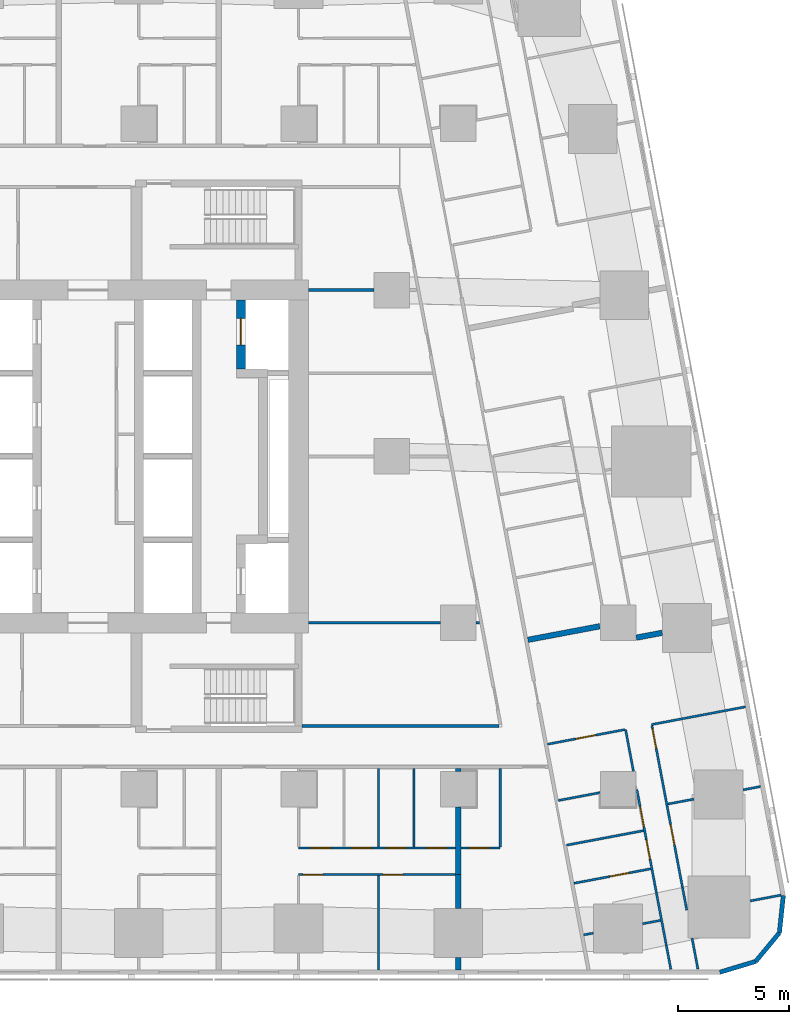
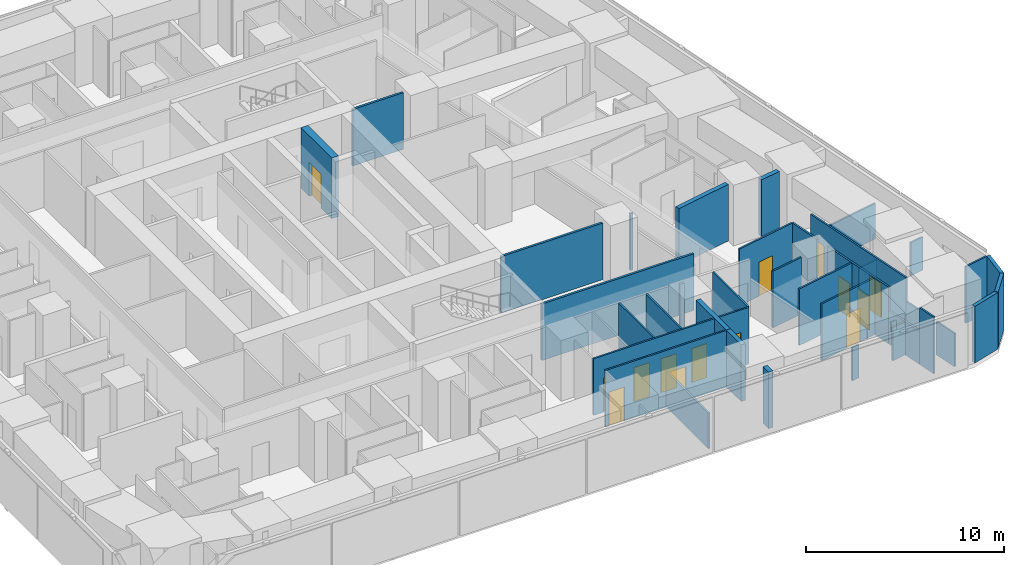
# One storey, part 7 of 16: 38 walls, 14 doors, 14 openings.
"""IFC4 building model written with IfcOpenShell, lengths in metres."""

import ifcopenshell
import ifcopenshell.guid

model = None  # the IFC model being written
_history = None  # IfcOwnerHistory: only IFC2X3 demands one
_inside = {}  # id of a spatial element -> (the spatial element, [elements in it])
_under = {}  # id of a project, library or spatial element -> (it, [spatial elements below it])
_declared = {}  # id of a project -> (the project, [libraries it declares])
_typed = {}  # id of a type object -> (the type object, [elements of that type])
_made_of = {}  # id of a material, layer set ... -> (it, [elements and type objects made of it])


def new_model(schema):
    """Start an empty IFC model of exactly this schema.

    Asked for "IFC4X3", IfcOpenShell would pick the latest addendum, in which some entities
    have other attributes; the version numbers below select the first issue.
    IFC2X3 requires an IfcOwnerHistory on every rooted entity: one is made here for all.
    """
    global model, _history
    if schema == "IFC4X3":
        model = ifcopenshell.file(schema_version=(4, 3, 0, 0))
    else:
        model = ifcopenshell.file(schema=schema)
    _inside.clear()
    _under.clear()
    _declared.clear()
    _typed.clear()
    _made_of.clear()
    _history = None
    if model.schema == "IFC2X3":
        org = make("IfcOrganization", Name="unknown")
        user = make(
            "IfcPersonAndOrganization",
            ThePerson=make("IfcPerson", FamilyName="unknown"),
            TheOrganization=org,
        )
        app = make(
            "IfcApplication",
            ApplicationDeveloper=org,
            Version="unknown",
            ApplicationFullName="unknown",
            ApplicationIdentifier="unknown",
        )
        _history = make(
            "IfcOwnerHistory",
            OwningUser=user,
            OwningApplication=app,
            ChangeAction="ADDED",
            CreationDate=0,
        )
    return model


def make(cls, **values):
    """One entity of the class cls with the attributes given. An attribute that is None is left unset."""
    return model.create_entity(
        cls, **{name: value for name, value in values.items() if value is not None}
    )


def rooted(cls, **values):
    """An entity with a GlobalId (a new one), such as an element, a storey or a relation."""
    return make(cls, GlobalId=ifcopenshell.guid.new(), OwnerHistory=_history, **values)


def si_unit(unit_type, name, prefix=None):
    """IfcSIUnit, for example si_unit("LENGTHUNIT", "METRE", prefix="MILLI")."""
    return make("IfcSIUnit", UnitType=unit_type, Prefix=prefix, Name=name)


def assignment(units):
    """IfcUnitAssignment: the units of a project."""
    return None if units is None else make("IfcUnitAssignment", Units=units)


def point(xyz):
    """IfcCartesianPoint."""
    return None if xyz is None else make("IfcCartesianPoint", Coordinates=xyz)


def direction(xyz):
    """IfcDirection."""
    return None if xyz is None else make("IfcDirection", DirectionRatios=xyz)


def frame(location, z_axis=None, x_axis=None):
    """IfcAxis2Placement3D, a coordinate frame: its origin and axes. An axis left out is left unset."""
    return make(
        "IfcAxis2Placement3D",
        Location=point(location),
        Axis=direction(z_axis),
        RefDirection=direction(x_axis),
    )


def frame_2d(location, x_axis=None):
    """IfcAxis2Placement2D, a coordinate frame in the plane: its origin and x axis."""
    return make(
        "IfcAxis2Placement2D", Location=point(location), RefDirection=direction(x_axis)
    )


def origin():
    """The frame at (0, 0, 0) with its axes left unset."""
    return frame((0.0, 0.0, 0.0))


def place(relative_to, where):
    """IfcLocalPlacement: puts the frame where relative to a parent placement (None: the world)."""
    return make(
        "IfcLocalPlacement", PlacementRelTo=relative_to, RelativePlacement=where
    )


def context(
    kind, dimensions, precision=None, world=None, true_north=None, identifier=None
):
    """IfcGeometricRepresentationContext, for example the 3D "Model" context."""
    return make(
        "IfcGeometricRepresentationContext",
        ContextIdentifier=identifier,
        ContextType=kind,
        CoordinateSpaceDimension=dimensions,
        Precision=precision,
        WorldCoordinateSystem=world,
        TrueNorth=true_north,
    )


def subcontext(parent, identifier, kind, view, scale=None):
    """IfcGeometricRepresentationSubContext, for example "Body" below "Model"."""
    return make(
        "IfcGeometricRepresentationSubContext",
        ContextIdentifier=identifier,
        ContextType=kind,
        ParentContext=parent,
        TargetScale=scale,
        TargetView=view,
    )


def project(units=None, contexts=None):
    """IfcProject with its units and contexts."""
    return rooted(
        "IfcProject",
        Name="project",
        RepresentationContexts=contexts,
        UnitsInContext=assignment(units),
    )


def spatial(cls, under=None, at=None, **own):
    """A site, building, storey or space (cls), placed at a placement, below another one or the project."""
    s = rooted(cls, ObjectPlacement=at, **own)
    if under is not None:
        _under.setdefault(under.id(), (under, []))[1].append(s)
    return s


def profile(cls, at=None, kind="AREA", **sizes):
    """A parametric profile (cls). Its sizes go by their IFC names, for example OverallWidth=200.0."""
    return make(cls, ProfileType=kind, Position=at, **sizes)


def rectangle(**sizes):
    """IfcRectangleProfileDef."""
    return profile("IfcRectangleProfileDef", **sizes)


def extrude(swept, where, along, depth):
    """IfcExtrudedAreaSolid: the profile swept, set in the frame where, extruded along a direction by depth."""
    return make(
        "IfcExtrudedAreaSolid",
        SweptArea=swept,
        Position=where,
        ExtrudedDirection=direction(along),
        Depth=depth,
    )


def shape(context_of_items, identifier, shape_type, items):
    """IfcShapeRepresentation: the items that make up one representation, for example the "Body"."""
    return make(
        "IfcShapeRepresentation",
        ContextOfItems=context_of_items,
        RepresentationIdentifier=identifier,
        RepresentationType=shape_type,
        Items=items,
    )


def material(Name=None, Category=None):
    """IfcMaterial."""
    return make("IfcMaterial", Name=Name, Category=Category)


def layer(
    of_material, thickness, ventilated=None, Name=None, Category=None, Priority=None
):
    """IfcMaterialLayer: one layer of a wall or slab, of a material (None: an air gap)."""
    return make(
        "IfcMaterialLayer",
        Material=of_material,
        LayerThickness=thickness,
        IsVentilated=ventilated,
        Name=Name,
        Category=Category,
        Priority=Priority,
    )


def layer_set(layers, Name=None):
    """IfcMaterialLayerSet."""
    return make("IfcMaterialLayerSet", MaterialLayers=layers, LayerSetName=Name)


def made_of(thing, what):
    """Note that an element or type object is made of a material, layer set ...; save() writes the relation."""
    if what is not None:
        _made_of.setdefault(what.id(), (what, []))[1].append(thing)
    return thing


def type_object(cls, material=None, **own):
    """A type object (cls), such as IfcWallType, which elements share."""
    return made_of(rooted(cls, **own), material)


def element(
    cls,
    number,
    at=None,
    inside=None,
    cuts=None,
    type_object=None,
    material=None,
    context=None,
    identifier="Body",
    shape_type=None,
    held_by="IfcProductDefinitionShape",
    body=None,
    shapes=None,
    **own,
):
    """One element of the class cls, such as IfcWall. Its Tag is "e" and its number.

    at: its placement. inside: the storey or other place that contains it. cuts: it is an
    opening in that element (IfcRelVoidsElement). A single representation is given by context,
    identifier, shape_type and body (its items); several are given by shapes. held_by: the class
    of the entity that holds the representations. save() writes the other relations.
    """
    e = rooted(cls, Tag="e%d" % number, ObjectPlacement=at, **own)
    if body is not None:
        shapes = [shape(context, identifier, shape_type, body)]
    if shapes is not None:
        e.Representation = make(held_by, Representations=shapes)
    if inside is not None:
        _inside.setdefault(inside.id(), (inside, []))[1].append(e)
    if cuts is not None:
        rooted(
            "IfcRelVoidsElement", RelatingBuildingElement=cuts, RelatedOpeningElement=e
        )
    if type_object is not None:
        _typed.setdefault(type_object.id(), (type_object, []))[1].append(e)
    return made_of(e, material)


def fill(opening, filler):
    """IfcRelFillsElement: the door or window that sits in an opening."""
    return rooted(
        "IfcRelFillsElement",
        RelatingOpeningElement=opening,
        RelatedBuildingElement=filler,
    )


def aggregate(whole, parts):
    """IfcRelAggregates: a whole, such as a stair, and the parts it consists of."""
    return rooted("IfcRelAggregates", RelatingObject=whole, RelatedObjects=parts)


def save(model, path):
    """Write the relations noted so far, then the file.

    IfcRelAggregates (storeys below a building ...), IfcRelContainedInSpatialStructure (elements
    in a storey), IfcRelDefinesByType, IfcRelAssociatesMaterial and IfcRelDeclares: one each for
    every whole, place, type object, material and project.
    """
    for whole, parts in _under.values():
        aggregate(whole, parts)
    for where, things in _inside.values():
        rooted(
            "IfcRelContainedInSpatialStructure",
            RelatedElements=things,
            RelatingStructure=where,
        )
    for kind, things in _typed.values():
        rooted("IfcRelDefinesByType", RelatedObjects=things, RelatingType=kind)
    for what, things in _made_of.values():
        rooted("IfcRelAssociatesMaterial", RelatedObjects=things, RelatingMaterial=what)
    for by, libraries in _declared.values():
        rooted("IfcRelDeclares", RelatingContext=by, RelatedDefinitions=libraries)
    model.write(path)


model = new_model("IFC4")

# Units and contexts
model_context = context("Model", 3, precision=1e-05, world=origin(), true_north=direction((0.0, 1.0)))
body_context = subcontext(model_context, "Body", "Model", "MODEL_VIEW")
ifc_project = project(units=[si_unit("LENGTHUNIT", "METRE"), si_unit("AREAUNIT", "SQUARE_METRE"), si_unit("VOLUMEUNIT", "CUBIC_METRE"), si_unit("PLANEANGLEUNIT", "RADIAN"), si_unit("MASSUNIT", "GRAM", prefix="KILO")], contexts=[model_context])

# Site, building, storey
site_placement = place(None, origin())
site = spatial("IfcSite", under=ifc_project, at=site_placement, CompositionType="ELEMENT")
building_placement = place(site_placement, origin())
building = spatial("IfcBuilding", under=site, at=building_placement, Name="Sheger Commons Tower", CompositionType="ELEMENT")
storey_placement = place(building_placement, frame((0.0, 0.0, 89.14990234375)))
storey = spatial("IfcBuildingStorey", under=building, at=storey_placement, Name="L22", CompositionType="ELEMENT", Elevation=89.14990234375)

# Wall, opening, door
ifc_material_1 = material(Name="Concrete C50/60", Category="concrete")
ifc_layer_1 = layer(ifc_material_1, 0.39990234375)
ifc_layer_set_1 = layer_set([ifc_layer_1], Name="CORE INNER WALL 400")
wall_type_1 = type_object("IfcWallType", Name="CORE INNER WALL 400", PredefinedType="SHEAR", material=ifc_layer_set_1)
wall_1_placement = place(storey_placement, frame((26.199951171875, 26.449951171875, 0.0), z_axis=(0.0, 0.0, 1.0), x_axis=(0.0, 1.0, 0.0)))
wall_1 = element("IfcWall", 1, at=wall_1_placement, inside=storey, type_object=wall_type_1, Name="Core inner wall F north L22", PredefinedType="SHEAR", context=body_context, shape_type="SweptSolid", body=[
    extrude(rectangle(XDim=3.10009765625, YDim=0.39990234375, at=frame_2d((1.550048828125, 0.0))), origin(), (0.0, 0.0, 1.0), 3.75),
])
opening_1_placement = place(wall_1_placement, frame((1.074951171875, 0.0, 0.0)))
opening_1 = element("IfcOpeningElement", 2, at=opening_1_placement, cuts=wall_1, Name="Opening LD2", PredefinedType="OPENING", context=body_context, shape_type="SweptSolid", body=[
    extrude(rectangle(XDim=1.199951171875, YDim=2.10009765625, at=frame_2d((0.60009765625, 1.050048828125))), frame((0.0, 0.2099609375, 0.0), z_axis=(0.0, -1.0, 0.0), x_axis=(1.0, 0.0, 0.0)), (0.0, 0.0, 1.0), 0.419921875),
])
ifc_material_2 = material(Name="Steel door set, fire rated", Category="steel")
door_type_1 = type_object("IfcDoorType", Name="FIREFIGHTING LIFT LANDING DOOR 1200x2100", OperationType="DOUBLE_DOOR_SLIDING", PredefinedType="DOOR", material=ifc_material_2)
door_1_placement = place(opening_1_placement, origin())
door_1 = element("IfcDoor", 3, at=door_1_placement, inside=storey, type_object=door_type_1, Name="Lift FL2 landing door", OperationType="DOUBLE_DOOR_SLIDING", OverallHeight=2.10009765625, OverallWidth=1.199951171875, PredefinedType="DOOR", context=body_context, shape_type="SweptSolid", body=[
    extrude(rectangle(XDim=1.199951171875, YDim=2.10009765625, at=frame_2d((0.60009765625, 1.050048828125))), frame((0.0, 0.02490234375, 0.0), z_axis=(0.0, -1.0, 0.0), x_axis=(1.0, 0.0, 0.0)), (0.0, 0.0, 1.0), 0.050048828125),
])
fill(opening_1, door_1)

# Walls
ifc_material_3 = material(Name="Dense concrete block masonry, plastered both sides (separating wall between flats)", Category="masonry")
ifc_layer_2 = layer(ifc_material_3, 0.25)
ifc_layer_set_2 = layer_set([ifc_layer_2], Name="DEMISING WALL 250")
wall_type_2 = type_object("IfcWallType", Name="DEMISING WALL 250", PredefinedType="SOLIDWALL", material=ifc_layer_set_2)
wall_2_placement = place(storey_placement, frame((36.0, -0.64990234375, 0.0), z_axis=(0.0, 0.0, 1.0), x_axis=(0.0, 1.0, 0.0)))
element("IfcWall", 4, at=wall_2_placement, inside=storey, type_object=wall_type_2, Name="Demising wall L22", PredefinedType="SOLIDWALL", context=body_context, shape_type="SweptSolid", body=[
    extrude(rectangle(XDim=0.573974609375, YDim=0.25, at=frame_2d((0.287109375, 0.0))), origin(), (0.0, 0.0, 1.0), 3.5),
])
wall_3_placement = place(storey_placement, frame((36.0, 2.1259765625, 0.0), z_axis=(0.0, 0.0, 1.0), x_axis=(0.0, 1.0, 0.0)))
element("IfcWall", 5, at=wall_3_placement, inside=storey, type_object=wall_type_2, Name="Demising wall L22", PredefinedType="SOLIDWALL", context=body_context, shape_type="SweptSolid", body=[
    extrude(rectangle(XDim=1.52392578125, YDim=0.25, at=frame_2d((0.761962890625, 0.0))), origin(), (0.0, 0.0, 1.0), 3.5),
])
wall_4_placement = place(storey_placement, frame((36.0, 3.64990234375, 0.0), z_axis=(0.0, 0.0, 1.0), x_axis=(0.0, 1.0, 0.0)))
element("IfcWall", 6, at=wall_4_placement, inside=storey, type_object=wall_type_2, Name="Demising wall L22", PredefinedType="SOLIDWALL", context=body_context, shape_type="SweptSolid", body=[
    extrude(rectangle(XDim=3.049072265625, YDim=0.25, at=frame_2d((1.5244140625, 0.0))), origin(), (0.0, 0.0, 1.0), 3.5),
])
wall_5_placement = place(storey_placement, frame((36.0, 8.301025390625, 0.0), z_axis=(0.0, 0.0, 1.0), x_axis=(0.0, 1.0, 0.0)))
element("IfcWall", 7, at=wall_5_placement, inside=storey, type_object=wall_type_2, Name="Demising wall L22", PredefinedType="SOLIDWALL", context=body_context, shape_type="SweptSolid", body=[
    extrude(rectangle(XDim=0.1240234375, YDim=0.25, at=frame_2d((0.06201171875, 0.0))), origin(), (0.0, 0.0, 1.0), 3.5),
])
wall_6_placement = place(storey_placement, frame((45.18994140625, 14.550048828125, 0.0), z_axis=(0.0, 0.0, 1.0), x_axis=(-0.982666604435, -0.185381618634, 0.0)))
element("IfcWall", 8, at=wall_6_placement, inside=storey, type_object=wall_type_2, Name="Demising wall L22", PredefinedType="SOLIDWALL", context=body_context, shape_type="SweptSolid", body=[
    extrude(rectangle(XDim=1.1865234375, YDim=0.25, at=frame_2d((0.59326171875, 0.0))), origin(), (0.0, 0.0, 1.0), 3.5),
])
wall_7_placement = place(storey_placement, frame((42.3759765625, 14.843994140625, 0.0), z_axis=(0.0, 0.0, 1.0), x_axis=(-0.982610440948, -0.18567908159, 0.0)))
element("IfcWall", 9, at=wall_7_placement, inside=storey, type_object=wall_type_2, Name="Demising wall L22", PredefinedType="SOLIDWALL", context=body_context, shape_type="SweptSolid", body=[
    extrude(rectangle(XDim=3.29638671875, YDim=0.25, at=frame_2d((1.648193359375, 0.0))), origin(), (0.0, 0.0, 1.0), 3.5),
])
ifc_material_4 = material(Name="Rendered concrete block masonry, dark grey", Category="masonry")
ifc_layer_3 = layer(ifc_material_4, 0.199951171875)
ifc_layer_set_3 = layer_set([ifc_layer_3], Name="FACADE WALL 200")
wall_type_3 = type_object("IfcWallType", Name="FACADE WALL 200", PredefinedType="SOLIDWALL", material=ifc_layer_set_3)
wall_8_placement = place(storey_placement, frame((47.791015625, -0.75, 0.0), z_axis=(0.0, 0.0, 1.0), x_axis=(0.957455232626, 0.288581838509, 0.0)))
element("IfcWall", 10, at=wall_8_placement, inside=storey, type_object=wall_type_3, Name="Facade wall L22", PredefinedType="SOLIDWALL", context=body_context, shape_type="SweptSolid", body=[
    extrude(rectangle(XDim=1.687744140625, YDim=0.199951171875, at=frame_2d((0.84375, 0.0))), origin(), (0.0, 0.0, 1.0), 3.5),
])
wall_9_placement = place(storey_placement, frame((49.406982421875, -0.262939453125, 0.0), z_axis=(0.0, 0.0, 1.0), x_axis=(0.638042593423, 0.770001070764, 0.0)))
element("IfcWall", 11, at=wall_9_placement, inside=storey, type_object=wall_type_3, Name="Facade wall L22", PredefinedType="SOLIDWALL", context=body_context, shape_type="SweptSolid", body=[
    extrude(rectangle(XDim=1.672607421875, YDim=0.199951171875, at=frame_2d((0.83642578125, 0.0))), origin(), (0.0, 0.0, 1.0), 3.5),
])
wall_10_placement = place(storey_placement, frame((50.47412109375, 1.02490234375, 0.0), z_axis=(0.0, 0.0, 1.0), x_axis=(0.106047815515, 0.994361031429, 0.0)))
element("IfcWall", 12, at=wall_10_placement, inside=storey, type_object=wall_type_3, Name="Facade wall L22", PredefinedType="SOLIDWALL", context=body_context, shape_type="SweptSolid", body=[
    extrude(rectangle(XDim=1.6875, YDim=0.199951171875, at=frame_2d((0.84375, 0.0))), origin(), (0.0, 0.0, 1.0), 3.5),
])

# Wall, openings, doors
ifc_material_5 = material(Name="Gypsum board on steel studs", Category="steel")
ifc_layer_4 = layer(ifc_material_5, 0.10009765625)
ifc_layer_set_4 = layer_set([ifc_layer_4], Name="PARTITION 100")
wall_type_4 = type_object("IfcWallType", Name="PARTITION 100", PredefinedType="PARTITIONING", material=ifc_layer_set_4)
wall_11_placement = place(storey_placement, frame((35.875, 3.64990234375, 0.0), z_axis=(0.0, 0.0, 1.0), x_axis=(-1.0, 0.0, 0.0)))
wall_11 = element("IfcWall", 13, at=wall_11_placement, inside=storey, type_object=wall_type_4, Name="Partition L22", PredefinedType="PARTITIONING", context=body_context, shape_type="SweptSolid", body=[
    extrude(rectangle(XDim=7.074951171875, YDim=0.10009765625, at=frame_2d((3.53759765625, 0.0))), origin(), (0.0, 0.0, 1.0), 3.5),
])
opening_2_placement = place(wall_11_placement, frame((5.97509765625, 0.0, 0.0)))
opening_2 = element("IfcOpeningElement", 14, at=opening_2_placement, cuts=wall_11, Name="Opening D2", PredefinedType="OPENING", context=body_context, shape_type="SweptSolid", body=[
    extrude(rectangle(XDim=0.89990234375, YDim=2.10009765625, at=frame_2d((0.449951171875, 1.050048828125))), frame((0.0, 0.06005859375, 0.0), z_axis=(0.0, -1.0, 0.0), x_axis=(1.0, 0.0, 0.0)), (0.0, 0.0, 1.0), 0.1201171875),
])
opening_3_placement = place(wall_11_placement, frame((2.375, 0.0, 0.0)))
opening_3 = element("IfcOpeningElement", 15, at=opening_3_placement, cuts=wall_11, Name="Opening D2", PredefinedType="OPENING", context=body_context, shape_type="SweptSolid", body=[
    extrude(rectangle(XDim=0.89990234375, YDim=2.10009765625, at=frame_2d((0.449951171875, 1.050048828125))), frame((0.0, 0.06005859375, 0.0), z_axis=(0.0, -1.0, 0.0), x_axis=(1.0, 0.0, 0.0)), (0.0, 0.0, 1.0), 0.1201171875),
])
ifc_material_6 = material(Name="Timber door set", Category="wood")
door_type_2 = type_object("IfcDoorType", Name="INTERNAL DOOR 900x2100", OperationType="NOTDEFINED", PredefinedType="DOOR", material=ifc_material_6)
door_2_placement = place(opening_2_placement, origin())
door_2 = element("IfcDoor", 16, at=door_2_placement, inside=storey, type_object=door_type_2, Name="Main bedroom door", OperationType="SINGLE_SWING_RIGHT", OverallHeight=2.10009765625, OverallWidth=0.89990234375, PredefinedType="DOOR", context=body_context, shape_type="SweptSolid", body=[
    extrude(rectangle(XDim=0.89990234375, YDim=2.10009765625, at=frame_2d((0.449951171875, 1.050048828125))), frame((0.0, 0.02490234375, 0.0), z_axis=(0.0, -1.0, 0.0), x_axis=(1.0, 0.0, 0.0)), (0.0, 0.0, 1.0), 0.050048828125),
])
fill(opening_2, door_2)
door_3_placement = place(opening_3_placement, origin())
door_3 = element("IfcDoor", 17, at=door_3_placement, inside=storey, type_object=door_type_2, Name="Bedroom 2 door", OperationType="SINGLE_SWING_RIGHT", OverallHeight=2.10009765625, OverallWidth=0.89990234375, PredefinedType="DOOR", context=body_context, shape_type="SweptSolid", body=[
    extrude(rectangle(XDim=0.89990234375, YDim=2.10009765625, at=frame_2d((0.449951171875, 1.050048828125))), frame((0.0, 0.02490234375, 0.0), z_axis=(0.0, -1.0, 0.0), x_axis=(1.0, 0.0, 0.0)), (0.0, 0.0, 1.0), 0.050048828125),
])
fill(opening_3, door_3)

wall_12_placement = place(storey_placement, frame((35.875, 4.85009765625, 0.0), z_axis=(0.0, 0.0, 1.0), x_axis=(-1.0, 0.0, 0.0)))
wall_12 = element("IfcWall", 18, at=wall_12_placement, inside=storey, type_object=wall_type_4, Name="Partition L22", PredefinedType="PARTITIONING", context=body_context, shape_type="SweptSolid", body=[
    extrude(rectangle(XDim=7.074951171875, YDim=0.10009765625, at=frame_2d((3.53759765625, 0.0))), origin(), (0.0, 0.0, 1.0), 3.5),
])
opening_4_placement = place(wall_12_placement, frame((5.60009765625, 0.0, 0.0)))
opening_4 = element("IfcOpeningElement", 19, at=opening_4_placement, cuts=wall_12, Name="Opening D2", PredefinedType="OPENING", context=body_context, shape_type="SweptSolid", body=[
    extrude(rectangle(XDim=0.89990234375, YDim=2.10009765625, at=frame_2d((0.449951171875, 1.050048828125))), frame((0.0, 0.06005859375, 0.0), z_axis=(0.0, -1.0, 0.0), x_axis=(1.0, 0.0, 0.0)), (0.0, 0.0, 1.0), 0.1201171875),
])
opening_5_placement = place(wall_12_placement, frame((2.22509765625, 0.0, 0.0)))
opening_5 = element("IfcOpeningElement", 20, at=opening_5_placement, cuts=wall_12, Name="Opening D2", PredefinedType="OPENING", context=body_context, shape_type="SweptSolid", body=[
    extrude(rectangle(XDim=0.89990234375, YDim=2.10009765625, at=frame_2d((0.449951171875, 1.050048828125))), frame((0.0, 0.06005859375, 0.0), z_axis=(0.0, -1.0, 0.0), x_axis=(1.0, 0.0, 0.0)), (0.0, 0.0, 1.0), 0.1201171875),
])
opening_6_placement = place(wall_12_placement, frame((3.800048828125, 0.0, 0.0)))
opening_6 = element("IfcOpeningElement", 21, at=opening_6_placement, cuts=wall_12, Name="Opening D2", PredefinedType="OPENING", context=body_context, shape_type="SweptSolid", body=[
    extrude(rectangle(XDim=0.89990234375, YDim=2.10009765625, at=frame_2d((0.449951171875, 1.050048828125))), frame((0.0, 0.06005859375, 0.0), z_axis=(0.0, -1.0, 0.0), x_axis=(1.0, 0.0, 0.0)), (0.0, 0.0, 1.0), 0.1201171875),
])
opening_7_placement = place(wall_12_placement, frame((0.425048828125, 0.0, 0.0)))
opening_7 = element("IfcOpeningElement", 22, at=opening_7_placement, cuts=wall_12, Name="Opening D2", PredefinedType="OPENING", context=body_context, shape_type="SweptSolid", body=[
    extrude(rectangle(XDim=0.89990234375, YDim=2.10009765625, at=frame_2d((0.449951171875, 1.050048828125))), frame((0.0, 0.06005859375, 0.0), z_axis=(0.0, -1.0, 0.0), x_axis=(1.0, 0.0, 0.0)), (0.0, 0.0, 1.0), 0.1201171875),
])
door_4_placement = place(opening_4_placement, origin())
door_4 = element("IfcDoor", 23, at=door_4_placement, inside=storey, type_object=door_type_2, Name="Bathroom door", OperationType="SINGLE_SWING_LEFT", OverallHeight=2.10009765625, OverallWidth=0.89990234375, PredefinedType="DOOR", context=body_context, shape_type="SweptSolid", body=[
    extrude(rectangle(XDim=0.89990234375, YDim=2.10009765625, at=frame_2d((0.449951171875, 1.050048828125))), frame((0.0, 0.02490234375, 0.0), z_axis=(0.0, -1.0, 0.0), x_axis=(1.0, 0.0, 0.0)), (0.0, 0.0, 1.0), 0.050048828125),
])
fill(opening_4, door_4)
door_5_placement = place(opening_5_placement, origin())
door_5 = element("IfcDoor", 24, at=door_5_placement, inside=storey, type_object=door_type_2, Name="Shower room door", OperationType="SINGLE_SWING_LEFT", OverallHeight=2.10009765625, OverallWidth=0.89990234375, PredefinedType="DOOR", context=body_context, shape_type="SweptSolid", body=[
    extrude(rectangle(XDim=0.89990234375, YDim=2.10009765625, at=frame_2d((0.449951171875, 1.050048828125))), frame((0.0, 0.02490234375, 0.0), z_axis=(0.0, -1.0, 0.0), x_axis=(1.0, 0.0, 0.0)), (0.0, 0.0, 1.0), 0.050048828125),
])
fill(opening_5, door_5)
door_6_placement = place(opening_6_placement, origin())
door_6 = element("IfcDoor", 25, at=door_6_placement, inside=storey, type_object=door_type_2, Name="Store door", OperationType="SINGLE_SWING_LEFT", OverallHeight=2.10009765625, OverallWidth=0.89990234375, PredefinedType="DOOR", context=body_context, shape_type="SweptSolid", body=[
    extrude(rectangle(XDim=0.89990234375, YDim=2.10009765625, at=frame_2d((0.449951171875, 1.050048828125))), frame((0.0, 0.02490234375, 0.0), z_axis=(0.0, -1.0, 0.0), x_axis=(1.0, 0.0, 0.0)), (0.0, 0.0, 1.0), 0.050048828125),
])
fill(opening_6, door_6)
door_7_placement = place(opening_7_placement, origin())
door_7 = element("IfcDoor", 26, at=door_7_placement, inside=storey, type_object=door_type_2, Name="Store door", OperationType="SINGLE_SWING_RIGHT", OverallHeight=2.10009765625, OverallWidth=0.89990234375, PredefinedType="DOOR", context=body_context, shape_type="SweptSolid", body=[
    extrude(rectangle(XDim=0.89990234375, YDim=2.10009765625, at=frame_2d((0.449951171875, 1.050048828125))), frame((0.0, 0.02490234375, 0.0), z_axis=(0.0, -1.0, 0.0), x_axis=(1.0, 0.0, 0.0)), (0.0, 0.0, 1.0), 0.050048828125),
])
fill(opening_7, door_7)

# Walls
wall_13_placement = place(storey_placement, frame((32.39990234375, -0.64990234375, 0.0), z_axis=(0.0, 0.0, 1.0), x_axis=(0.0, 1.0, 0.0)))
element("IfcWall", 27, at=wall_13_placement, inside=storey, type_object=wall_type_4, Name="Partition L22", PredefinedType="PARTITIONING", context=body_context, shape_type="SweptSolid", body=[
    extrude(rectangle(XDim=4.25, YDim=0.10009765625, at=frame_2d((2.125, 0.0))), origin(), (0.0, 0.0, 1.0), 2.2001953125),
])
for number, where, z_axis, x_axis, name in (
    (28, (32.39990234375, 4.89990234375, 0.0), (0.0, 0.0, 1.0), (0.0, 1.0, 0.0), "Partition L22"),
    (29, (34.0, 4.89990234375, 0.0), (0.0, 0.0, 1.0), (0.0, 1.0, 0.0), "Partition L22"),
):
    element("IfcWall", number, at=place(storey_placement, frame(where, z_axis=z_axis, x_axis=x_axis)), inside=storey, type_object=wall_type_4, Name=name, PredefinedType="PARTITIONING", context=body_context, shape_type="SweptSolid", body=[
        extrude(rectangle(XDim=3.525146484375, YDim=0.10009765625, at=frame_2d((1.7626953125, 0.0))), origin(), (0.0, 0.0, 1.0), 3.5),
    ])

# Wall, opening, door
wall_14_placement = place(storey_placement, frame((37.889892578125, 4.85009765625, 0.0), z_axis=(0.0, 0.0, 1.0), x_axis=(-1.0, 0.0, 0.0)))
wall_14 = element("IfcWall", 30, at=wall_14_placement, inside=storey, type_object=wall_type_4, Name="Partition L22", PredefinedType="PARTITIONING", context=body_context, shape_type="SweptSolid", body=[
    extrude(rectangle(XDim=1.764892578125, YDim=0.10009765625, at=frame_2d((0.88232421875, 0.0))), origin(), (0.0, 0.0, 1.0), 3.5),
])
opening_8_placement = place(wall_14_placement, frame((0.489990234375, 0.0, 0.0)))
opening_8 = element("IfcOpeningElement", 31, at=opening_8_placement, cuts=wall_14, Name="Opening D2", PredefinedType="OPENING", context=body_context, shape_type="SweptSolid", body=[
    extrude(rectangle(XDim=0.89990234375, YDim=2.10009765625, at=frame_2d((0.449951171875, 1.050048828125))), frame((0.0, 0.06005859375, 0.0), z_axis=(0.0, -1.0, 0.0), x_axis=(1.0, 0.0, 0.0)), (0.0, 0.0, 1.0), 0.1201171875),
])
door_8_placement = place(opening_8_placement, origin())
door_8 = element("IfcDoor", 32, at=door_8_placement, inside=storey, type_object=door_type_2, Name="Shower room door", OperationType="SINGLE_SWING_LEFT", OverallHeight=2.10009765625, OverallWidth=0.89990234375, PredefinedType="DOOR", context=body_context, shape_type="SweptSolid", body=[
    extrude(rectangle(XDim=0.89990234375, YDim=2.10009765625, at=frame_2d((0.449951171875, 1.050048828125))), frame((0.0, 0.02490234375, 0.0), z_axis=(0.0, -1.0, 0.0), x_axis=(1.0, 0.0, 0.0)), (0.0, 0.0, 1.0), 0.050048828125),
])
fill(opening_8, door_8)

# Wall
wall_15_placement = place(storey_placement, frame((37.889892578125, 4.89990234375, 0.0), z_axis=(0.0, 0.0, 1.0), x_axis=(0.0, 1.0, 0.0)))
element("IfcWall", 33, at=wall_15_placement, inside=storey, type_object=wall_type_4, Name="Partition L22", PredefinedType="PARTITIONING", context=body_context, shape_type="SweptSolid", body=[
    extrude(rectangle(XDim=3.525146484375, YDim=0.10009765625, at=frame_2d((1.7626953125, 0.0))), origin(), (0.0, 0.0, 1.0), 3.5),
])

# Wall, openings, doors
wall_16_placement = place(storey_placement, frame((44.72705078125, 10.365966796875, 0.0), z_axis=(0.0, 0.0, 1.0), x_axis=(0.185678775129, -0.982610498858, 0.0)))
wall_16 = element("IfcWall", 34, at=wall_16_placement, inside=storey, type_object=wall_type_4, Name="Partition L22", PredefinedType="PARTITIONING", context=body_context, shape_type="SweptSolid", body=[
    extrude(rectangle(XDim=7.421142578125, YDim=0.10009765625, at=frame_2d((3.71044921875, 0.0))), origin(), (0.0, 0.0, 1.0), 3.5),
])
opening_9_placement = place(wall_16_placement, frame((0.15087890625, 0.0, 0.0)))
opening_9 = element("IfcOpeningElement", 35, at=opening_9_placement, cuts=wall_16, Name="Opening D2", PredefinedType="OPENING", context=body_context, shape_type="SweptSolid", body=[
    extrude(rectangle(XDim=0.89990234375, YDim=2.10009765625, at=frame_2d((0.449951171875, 1.050048828125))), frame((0.0, 0.06005859375, 0.0), z_axis=(0.0, -1.0, 0.0), x_axis=(1.0, 0.0, 0.0)), (0.0, 0.0, 1.0), 0.1201171875),
])
opening_10_placement = place(wall_16_placement, frame((4.550048828125, 0.0, 0.0)))
opening_10 = element("IfcOpeningElement", 36, at=opening_10_placement, cuts=wall_16, Name="Opening D2", PredefinedType="OPENING", context=body_context, shape_type="SweptSolid", body=[
    extrude(rectangle(XDim=0.89990234375, YDim=2.10009765625, at=frame_2d((0.449951171875, 1.050048828125))), frame((0.0, 0.06005859375, 0.0), z_axis=(0.0, -1.0, 0.0), x_axis=(1.0, 0.0, 0.0)), (0.0, 0.0, 1.0), 0.1201171875),
])
door_9_placement = place(opening_9_placement, origin())
door_9 = element("IfcDoor", 37, at=door_9_placement, inside=storey, type_object=door_type_2, Name="Main bedroom door", OperationType="SINGLE_SWING_LEFT", OverallHeight=2.10009765625, OverallWidth=0.89990234375, PredefinedType="DOOR", context=body_context, shape_type="SweptSolid", body=[
    extrude(rectangle(XDim=0.89990234375, YDim=2.10009765625, at=frame_2d((0.449951171875, 1.050048828125))), frame((0.0, 0.02490234375, 0.0), z_axis=(0.0, -1.0, 0.0), x_axis=(1.0, 0.0, 0.0)), (0.0, 0.0, 1.0), 0.050048828125),
])
fill(opening_9, door_9)
door_10_placement = place(opening_10_placement, origin())
door_10 = element("IfcDoor", 38, at=door_10_placement, inside=storey, type_object=door_type_2, Name="Bedroom 2 door", OperationType="SINGLE_SWING_LEFT", OverallHeight=2.10009765625, OverallWidth=0.89990234375, PredefinedType="DOOR", context=body_context, shape_type="SweptSolid", body=[
    extrude(rectangle(XDim=0.89990234375, YDim=2.10009765625, at=frame_2d((0.449951171875, 1.050048828125))), frame((0.0, 0.02490234375, 0.0), z_axis=(0.0, -1.0, 0.0), x_axis=(1.0, 0.0, 0.0)), (0.0, 0.0, 1.0), 0.050048828125),
])
fill(opening_10, door_10)

# Walls
wall_17_placement = place(storey_placement, frame((46.10498046875, 3.073974609375, 0.0), z_axis=(0.0, 0.0, 1.0), x_axis=(0.185897769544, -0.982569091351, 0.0)))
element("IfcWall", 39, at=wall_17_placement, inside=storey, type_object=wall_type_4, Name="Partition L22", PredefinedType="PARTITIONING", context=body_context, shape_type="SweptSolid", body=[
    extrude(rectangle(XDim=1.044189453125, YDim=0.10009765625, at=frame_2d((0.52197265625, 0.0))), origin(), (0.0, 0.0, 1.0), 2.050048828125),
])
wall_18_placement = place(storey_placement, frame((46.537109375, 0.787109375, 0.0), z_axis=(0.0, 0.0, 1.0), x_axis=(0.185348284603, -0.982672892368, 0.0)))
element("IfcWall", 40, at=wall_18_placement, inside=storey, type_object=wall_type_4, Name="Partition L22", PredefinedType="PARTITIONING", context=body_context, shape_type="SweptSolid", body=[
    extrude(rectangle(XDim=1.418701171875, YDim=0.10009765625, at=frame_2d((0.70947265625, 0.0))), origin(), (0.0, 0.0, 1.0), 2.050048828125),
])
wall_19_placement = place(storey_placement, frame((43.5390625, 10.19189453125, 0.0), z_axis=(0.0, 0.0, 1.0), x_axis=(0.185366049966, -0.982669541362, 0.0)))
element("IfcWall", 41, at=wall_19_placement, inside=storey, type_object=wall_type_4, Name="Partition L22", PredefinedType="PARTITIONING", context=body_context, shape_type="SweptSolid", body=[
    extrude(rectangle(XDim=1.9150390625, YDim=0.10009765625, at=frame_2d((0.95751953125, 0.0))), origin(), (0.0, 0.0, 1.0), 3.5),
])

# Wall, openings, doors
wall_20_placement = place(storey_placement, frame((44.049072265625, 7.489990234375, 0.0), z_axis=(0.0, 0.0, 1.0), x_axis=(0.185666332607, -0.982612849975, 0.0)))
wall_20 = element("IfcWall", 42, at=wall_20_placement, inside=storey, type_object=wall_type_4, Name="Partition L22", PredefinedType="PARTITIONING", context=body_context, shape_type="SweptSolid", body=[
    extrude(rectangle(XDim=4.74951171875, YDim=0.10009765625, at=frame_2d((2.374755859375, 0.0))), origin(), (0.0, 0.0, 1.0), 3.5),
])
opening_11_placement = place(wall_20_placement, frame((0.800048828125, 0.0, 0.0)))
opening_11 = element("IfcOpeningElement", 43, at=opening_11_placement, cuts=wall_20, Name="Opening D2", PredefinedType="OPENING", context=body_context, shape_type="SweptSolid", body=[
    extrude(rectangle(XDim=0.89990234375, YDim=2.10009765625, at=frame_2d((0.449951171875, 1.050048828125))), frame((0.0, 0.06005859375, 0.0), z_axis=(0.0, -1.0, 0.0), x_axis=(1.0, 0.0, 0.0)), (0.0, 0.0, 1.0), 0.1201171875),
])
opening_12_placement = place(wall_20_placement, frame((2.31494140625, 0.0, 0.0)))
opening_12 = element("IfcOpeningElement", 44, at=opening_12_placement, cuts=wall_20, Name="Opening D2", PredefinedType="OPENING", context=body_context, shape_type="SweptSolid", body=[
    extrude(rectangle(XDim=0.89990234375, YDim=2.10009765625, at=frame_2d((0.449951171875, 1.050048828125))), frame((0.0, 0.06005859375, 0.0), z_axis=(0.0, -1.0, 0.0), x_axis=(1.0, 0.0, 0.0)), (0.0, 0.0, 1.0), 0.1201171875),
])
door_11_placement = place(opening_11_placement, origin())
door_11 = element("IfcDoor", 45, at=door_11_placement, inside=storey, type_object=door_type_2, Name="Bathroom door", OperationType="SINGLE_SWING_LEFT", OverallHeight=2.10009765625, OverallWidth=0.89990234375, PredefinedType="DOOR", context=body_context, shape_type="SweptSolid", body=[
    extrude(rectangle(XDim=0.89990234375, YDim=2.10009765625, at=frame_2d((0.449951171875, 1.050048828125))), frame((0.0, 0.02490234375, 0.0), z_axis=(0.0, -1.0, 0.0), x_axis=(1.0, 0.0, 0.0)), (0.0, 0.0, 1.0), 0.050048828125),
])
fill(opening_11, door_11)
door_12_placement = place(opening_12_placement, origin())
door_12 = element("IfcDoor", 46, at=door_12_placement, inside=storey, type_object=door_type_2, Name="Store door", OperationType="SINGLE_SWING_LEFT", OverallHeight=2.10009765625, OverallWidth=0.89990234375, PredefinedType="DOOR", context=body_context, shape_type="SweptSolid", body=[
    extrude(rectangle(XDim=0.89990234375, YDim=2.10009765625, at=frame_2d((0.449951171875, 1.050048828125))), frame((0.0, 0.02490234375, 0.0), z_axis=(0.0, -1.0, 0.0), x_axis=(1.0, 0.0, 0.0)), (0.0, 0.0, 1.0), 0.050048828125),
])
fill(opening_12, door_12)

# Walls
wall_21_placement = place(storey_placement, frame((44.930908203125, 2.822998046875, 0.0), z_axis=(0.0, 0.0, 1.0), x_axis=(0.185631845838, -0.982619365681, 0.0)))
element("IfcWall", 47, at=wall_21_placement, inside=storey, type_object=wall_type_4, Name="Partition L22", PredefinedType="PARTITIONING", context=body_context, shape_type="SweptSolid", body=[
    extrude(rectangle(XDim=2.40283203125, YDim=0.10009765625, at=frame_2d((1.201416015625, 0.0))), origin(), (0.0, 0.0, 1.0), 2.050048828125),
])
wall_22_placement = place(storey_placement, frame((45.376953125, 0.4619140625, 0.0), z_axis=(0.0, 0.0, 1.0), x_axis=(0.185513480919, -0.982641719243, 0.0)))
element("IfcWall", 48, at=wall_22_placement, inside=storey, type_object=wall_type_4, Name="Partition L22", PredefinedType="PARTITIONING", context=body_context, shape_type="SweptSolid", body=[
    extrude(rectangle(XDim=1.094970703125, YDim=0.10009765625, at=frame_2d((0.54736328125, 0.0))), origin(), (0.0, 0.0, 1.0), 3.5),
])
wall_23_placement = place(storey_placement, frame((48.943115234375, 11.212890625, 0.0), z_axis=(0.0, 0.0, 1.0), x_axis=(-0.982633535512, -0.185556823879, 0.0)))
element("IfcWall", 49, at=wall_23_placement, inside=storey, type_object=wall_type_4, Name="Partition L22", PredefinedType="PARTITIONING", context=body_context, shape_type="SweptSolid", body=[
    extrude(rectangle(XDim=4.2998046875, YDim=0.10009765625, at=frame_2d((2.14990234375, 0.0))), origin(), (0.0, 0.0, 1.0), 2.2001953125),
])
wall_24_placement = place(storey_placement, frame((49.6220703125, 7.6201171875, 0.0), z_axis=(0.0, 0.0, 1.0), x_axis=(-0.982512656401, -0.186195810938, 0.0)))
element("IfcWall", 50, at=wall_24_placement, inside=storey, type_object=wall_type_4, Name="Partition L22", PredefinedType="PARTITIONING", context=body_context, shape_type="SweptSolid", body=[
    extrude(rectangle(XDim=0.7958984375, YDim=0.10009765625, at=frame_2d((0.39794921875, 0.0))), origin(), (0.0, 0.0, 1.0), 2.050048828125),
])
wall_25_placement = place(storey_placement, frame((46.6201171875, 7.052978515625, 0.0), z_axis=(0.0, 0.0, 1.0), x_axis=(-0.982749355621, -0.18494243436, 0.0)))
element("IfcWall", 51, at=wall_25_placement, inside=storey, type_object=wall_type_4, Name="Partition L22", PredefinedType="PARTITIONING", context=body_context, shape_type="SweptSolid", body=[
    extrude(rectangle(XDim=1.194580078125, YDim=0.10009765625, at=frame_2d((0.59716796875, 0.0))), origin(), (0.0, 0.0, 1.0), 2.050048828125),
])
wall_26_placement = place(storey_placement, frame((50.547119140625, 2.72607421875, 0.0), z_axis=(0.0, 0.0, 1.0), x_axis=(-0.982680053146, -0.185310315822, 0.0)))
element("IfcWall", 52, at=wall_26_placement, inside=storey, type_object=wall_type_4, Name="Partition L22", PredefinedType="PARTITIONING", context=body_context, shape_type="SweptSolid", body=[
    extrude(rectangle(XDim=1.41357421875, YDim=0.10009765625, at=frame_2d((0.706787109375, 0.0))), origin(), (0.0, 0.0, 1.0), 3.5),
])

# Wall, opening, door
wall_27_placement = place(storey_placement, frame((43.489990234375, 10.18310546875, 0.0), z_axis=(0.0, 0.0, 1.0), x_axis=(-0.982588017646, -0.185797706064, 0.0)))
wall_27 = element("IfcWall", 53, at=wall_27_placement, inside=storey, type_object=wall_type_4, Name="Partition L22", PredefinedType="PARTITIONING", context=body_context, shape_type="SweptSolid", body=[
    extrude(rectangle(XDim=3.525390625, YDim=0.10009765625, at=frame_2d((1.7626953125, 0.0))), origin(), (0.0, 0.0, 1.0), 3.5),
])
opening_13_placement = place(wall_27_placement, frame((1.324951171875, 0.0, 0.0)))
opening_13 = element("IfcOpeningElement", 54, at=opening_13_placement, cuts=wall_27, Name="Opening D2", PredefinedType="OPENING", context=body_context, shape_type="SweptSolid", body=[
    extrude(rectangle(XDim=0.89990234375, YDim=2.10009765625, at=frame_2d((0.449951171875, 1.050048828125))), frame((0.0, 0.06005859375, 0.0), z_axis=(0.0, -1.0, 0.0), x_axis=(1.0, 0.0, 0.0)), (0.0, 0.0, 1.0), 0.1201171875),
])
door_13_placement = place(opening_13_placement, origin())
door_13 = element("IfcDoor", 55, at=door_13_placement, inside=storey, type_object=door_type_2, Name="Store door", OperationType="SINGLE_SWING_RIGHT", OverallHeight=2.10009765625, OverallWidth=0.89990234375, PredefinedType="DOOR", context=body_context, shape_type="SweptSolid", body=[
    extrude(rectangle(XDim=0.89990234375, YDim=2.10009765625, at=frame_2d((0.449951171875, 1.050048828125))), frame((0.0, 0.02490234375, 0.0), z_axis=(0.0, -1.0, 0.0), x_axis=(1.0, 0.0, 0.0)), (0.0, 0.0, 1.0), 0.050048828125),
])
fill(opening_13, door_13)

# Walls
wall_28_placement = place(storey_placement, frame((42.389892578125, 7.346923828125, 0.0), z_axis=(0.0, 0.0, 1.0), x_axis=(-0.982633642782, -0.185556255819, 0.0)))
element("IfcWall", 56, at=wall_28_placement, inside=storey, type_object=wall_type_4, Name="Partition L22", PredefinedType="PARTITIONING", context=body_context, shape_type="SweptSolid", body=[
    extrude(rectangle(XDim=1.918212890625, YDim=0.10009765625, at=frame_2d((0.958984375, 0.0))), origin(), (0.0, 0.0, 1.0), 3.5),
])
wall_29_placement = place(storey_placement, frame((45.114013671875, 1.5869140625, 0.0), z_axis=(0.0, 0.0, 1.0), x_axis=(-0.982624706348, -0.185603573443, 0.0)))
element("IfcWall", 57, at=wall_29_placement, inside=storey, type_object=wall_type_4, Name="Partition L22", PredefinedType="PARTITIONING", context=body_context, shape_type="SweptSolid", body=[
    extrude(rectangle(XDim=0.818115234375, YDim=0.10009765625, at=frame_2d((0.4091796875, 0.0))), origin(), (0.0, 0.0, 1.0), 2.050048828125),
])
wall_30_placement = place(storey_placement, frame((42.090087890625, 1.014892578125, 0.0), z_axis=(0.0, 0.0, 1.0), x_axis=(-0.982680384557, -0.185308558375, 0.0)))
element("IfcWall", 58, at=wall_30_placement, inside=storey, type_object=wall_type_4, Name="Partition L22", PredefinedType="PARTITIONING", context=body_context, shape_type="SweptSolid", body=[
    extrude(rectangle(XDim=0.447998046875, YDim=0.10009765625, at=frame_2d((0.22412109375, 0.0))), origin(), (0.0, 0.0, 1.0), 2.050048828125),
])
wall_31_placement = place(storey_placement, frame((44.35009765625, 5.631103515625, 0.0), z_axis=(0.0, 0.0, 1.0), x_axis=(-0.982638553676, -0.185530247748, 0.0)))
element("IfcWall", 59, at=wall_31_placement, inside=storey, type_object=wall_type_4, Name="Partition L22", PredefinedType="PARTITIONING", context=body_context, shape_type="SweptSolid", body=[
    extrude(rectangle(XDim=3.525390625, YDim=0.10009765625, at=frame_2d((1.7626953125, 0.0))), origin(), (0.0, 0.0, 1.0), 3.5),
])

# Wall, opening, door
wall_32_placement = place(storey_placement, frame((41.2099609375, 3.258056640625, 0.0), z_axis=(0.0, 0.0, 1.0), x_axis=(0.982638553676, 0.185530247748, 0.0)))
wall_32 = element("IfcWall", 60, at=wall_32_placement, inside=storey, type_object=wall_type_4, Name="Partition L22", PredefinedType="PARTITIONING", context=body_context, shape_type="SweptSolid", body=[
    extrude(rectangle(XDim=3.525390625, YDim=0.10009765625, at=frame_2d((1.7626953125, 0.0))), origin(), (0.0, 0.0, 1.0), 3.5),
])
opening_14_placement = place(wall_32_placement, frame((1.64990234375, 0.0, 0.0)))
opening_14 = element("IfcOpeningElement", 61, at=opening_14_placement, cuts=wall_32, Name="Opening D2", PredefinedType="OPENING", context=body_context, shape_type="SweptSolid", body=[
    extrude(rectangle(XDim=0.89990234375, YDim=2.10009765625, at=frame_2d((0.449951171875, 1.050048828125))), frame((0.0, 0.06005859375, 0.0), z_axis=(0.0, -1.0, 0.0), x_axis=(1.0, 0.0, 0.0)), (0.0, 0.0, 1.0), 0.1201171875),
])
door_14_placement = place(opening_14_placement, origin())
door_14 = element("IfcDoor", 62, at=door_14_placement, inside=storey, type_object=door_type_2, Name="Store door", OperationType="SINGLE_SWING_RIGHT", OverallHeight=2.10009765625, OverallWidth=0.89990234375, PredefinedType="DOOR", context=body_context, shape_type="SweptSolid", body=[
    extrude(rectangle(XDim=0.89990234375, YDim=2.10009765625, at=frame_2d((0.449951171875, 1.050048828125))), frame((0.0, 0.02490234375, 0.0), z_axis=(0.0, -1.0, 0.0), x_axis=(1.0, 0.0, 0.0)), (0.0, 0.0, 1.0), 0.050048828125),
])
fill(opening_14, door_14)

# Walls
ifc_material_7 = material(Name="Gypsum board on steel studs, two layers each side, fire rated", Category="steel")
ifc_layer_5 = layer(ifc_material_7, 0.125)
ifc_layer_set_5 = layer_set([ifc_layer_5], Name="SERVICE WALL 125")
wall_type_5 = type_object("IfcWallType", Name="SERVICE WALL 125", PredefinedType="PARTITIONING", material=ifc_layer_set_5)
wall_33_placement = place(storey_placement, frame((28.949951171875, 10.35009765625, 0.0), z_axis=(0.0, 0.0, 1.0), x_axis=(1.0, 0.0, 0.0)))
element("IfcWall", 63, at=wall_33_placement, inside=storey, type_object=wall_type_5, Name="Service room wall L22", PredefinedType="PARTITIONING", context=body_context, shape_type="SweptSolid", body=[
    extrude(rectangle(XDim=8.885986328125, YDim=0.125, at=frame_2d((4.44287109375, 0.0))), origin(), (0.0, 0.0, 1.0), 3.5),
])
wall_34_placement = place(storey_placement, frame((29.25, 15.0, 0.0), z_axis=(0.0, 0.0, 1.0), x_axis=(1.0, 0.0, 0.0)))
element("IfcWall", 64, at=wall_34_placement, inside=storey, type_object=wall_type_5, Name="Service room wall L22", PredefinedType="PARTITIONING", context=body_context, shape_type="SweptSolid", body=[
    extrude(rectangle(XDim=5.948974609375, YDim=0.125, at=frame_2d((2.974609375, 0.0))), origin(), (0.0, 0.0, 1.0), 3.5),
])
wall_35_placement = place(storey_placement, frame((36.801025390625, 15.0, 0.0), z_axis=(0.0, 0.0, 1.0), x_axis=(1.0, 0.0, 0.0)))
element("IfcWall", 65, at=wall_35_placement, inside=storey, type_object=wall_type_5, Name="Service room wall L22", PredefinedType="PARTITIONING", context=body_context, shape_type="SweptSolid", body=[
    extrude(rectangle(XDim=0.156982421875, YDim=0.125, at=frame_2d((0.07861328125, 0.0))), origin(), (0.0, 0.0, 1.0), 3.5),
])
wall_36_placement = place(storey_placement, frame((29.25, 30.0, 0.0), z_axis=(0.0, 0.0, 1.0), x_axis=(1.0, 0.0, 0.0)))
element("IfcWall", 66, at=wall_36_placement, inside=storey, type_object=wall_type_5, Name="Service room wall L22", PredefinedType="PARTITIONING", context=body_context, shape_type="SweptSolid", body=[
    extrude(rectangle(XDim=2.948974609375, YDim=0.125, at=frame_2d((1.474609375, 0.0))), origin(), (0.0, 0.0, 1.0), 3.5),
])

save(model, "model.ifc")
